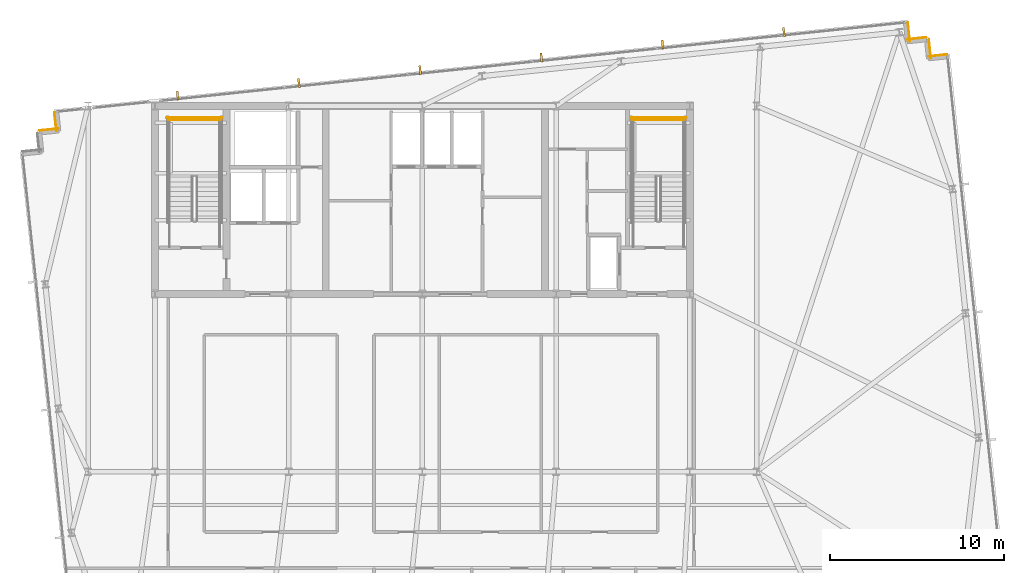
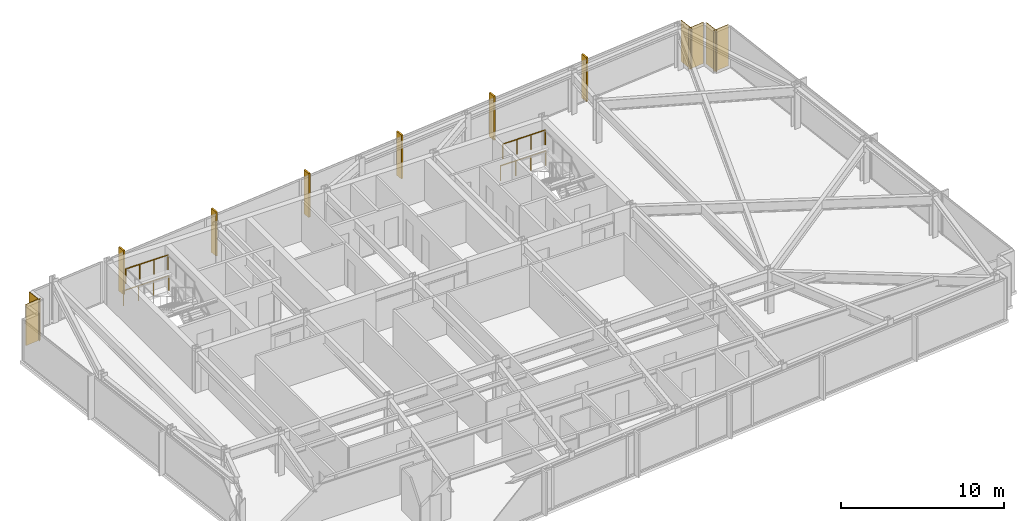
# One storey, part 32 of 32: 6 coverings, 6 shading devices, 4 railings.
"""IFC4 building model written with IfcOpenShell, lengths in metres."""

from ifc_helpers import new_model, si_unit, direction, frame, frame_2d, origin, origin_2d, place, context, subcontext, project, spatial, rectangle, circle, extrude, material, layer, layer_set, type_object, element, save


model = new_model("IFC4")

# Units and contexts
model_context = context("Model", 3, precision=1e-05, world=origin(), true_north=direction((0.0, 1.0)))
body_context = subcontext(model_context, "Body", "Model", "MODEL_VIEW")
ifc_project = project(units=[si_unit("LENGTHUNIT", "METRE"), si_unit("AREAUNIT", "SQUARE_METRE"), si_unit("VOLUMEUNIT", "CUBIC_METRE"), si_unit("PLANEANGLEUNIT", "RADIAN"), si_unit("MASSUNIT", "GRAM", prefix="KILO")], contexts=[model_context])

# Site, building, storey
site_placement = place(None, origin())
site = spatial("IfcSite", under=ifc_project, at=site_placement, CompositionType="ELEMENT")
building_placement = place(site_placement, origin())
building = spatial("IfcBuilding", under=site, at=building_placement, Name="Yelkora Congress Tower", CompositionType="ELEMENT")
storey_placement = place(building_placement, frame((0.0, 0.0, 217.699951171875)))
storey = spatial("IfcBuildingStorey", under=building, at=storey_placement, Name="L60", CompositionType="ELEMENT", Elevation=217.699951171875)

# Coverings
ifc_material_1 = material(Name="Anatolian bush-hammered limestone", Category="masonry")
ifc_layer_1 = layer(ifc_material_1, 0.0400390625)
ifc_layer_set_1 = layer_set([ifc_layer_1], Name="Anatolian bush-hammered limestone")
covering_type = type_object("IfcCoveringType", Name="COV-CLAD-SPANDREL-40", PredefinedType="CLADDING", material=ifc_layer_set_1)
for number, where, z_axis, x_axis, name in (
    (1, (16.406005859375, 44.7880859375, 0.0), (0.0, 0.0, 1.0), (0.994544300928, 0.104315068386, 0.0), "L60 Anatolian Limestone Cladding EW-L60-SR08"),
    (2, (17.379638671875, 44.75439453125, 0.0), (0.0, 0.0, 1.0), (-0.104534592565, 0.994521251134, 0.0), "L60 Anatolian Limestone Cladding EW-L60-SR09"),
    (3, (66.284912109375, 51.000732421875, 0.0), (0.0, 0.0, 1.0), (0.104534592565, -0.994521251134, 0.0), "L60 Anatolian Limestone Cladding EW-L60-SR11"),
):
    element("IfcCovering", number, at=place(storey_placement, frame(where, z_axis=z_axis, x_axis=x_axis)), inside=storey, type_object=covering_type, Name=name, PredefinedType="CLADDING", context=body_context, shape_type="SweptSolid", body=[
        extrude(rectangle(XDim=1.10009765625, YDim=0.0400390625, at=frame_2d((0.550048828125, 0.0))), origin(), (0.0, 0.0, 1.0), 3.080078125),
    ])
covering_placement = place(storey_placement, frame((66.25146484375, 50.02685546875, 0.0), z_axis=(0.0, 0.0, 1.0), x_axis=(0.994518825066, 0.104557671117, 0.0)))
element("IfcCovering", 4, at=covering_placement, inside=storey, type_object=covering_type, Name="L60 Anatolian Limestone Cladding EW-L60-SR12", PredefinedType="CLADDING", context=body_context, shape_type="SweptSolid", body=[
    extrude(rectangle(XDim=1.099853515625, YDim=0.0400390625, at=frame_2d((0.5498046875, 0.0))), origin(), (0.0, 0.0, 1.0), 3.080078125),
])
for number, where, z_axis, x_axis, name in (
    (5, (67.49365234375, 50.021728515625, 0.0), (0.0, 0.0, 1.0), (0.104534592565, -0.994521251134, 0.0), "L60 Anatolian Limestone Cladding EW-L60-SR13"),
    (6, (67.460205078125, 49.0478515625, 0.0), (0.0, 0.0, 1.0), (0.994521251134, 0.104534592565, 0.0), "L60 Anatolian Limestone Cladding EW-L60-SR14"),
):
    element("IfcCovering", number, at=place(storey_placement, frame(where, z_axis=z_axis, x_axis=x_axis)), inside=storey, type_object=covering_type, Name=name, PredefinedType="CLADDING", context=body_context, shape_type="SweptSolid", body=[
        extrude(rectangle(XDim=1.10009765625, YDim=0.0400390625, at=frame_2d((0.550048828125, 0.0))), origin(), (0.0, 0.0, 1.0), 3.080078125),
    ])

# Railings
ifc_material_2 = material(Name="Painted galvanised steel stair well guard with vertical infill", Category="steel")
ifc_layer_2 = layer(ifc_material_2, 0.06005859375)
ifc_layer_set_2 = layer_set([ifc_layer_2], Name="Painted galvanised steel stair well guard with vertical infill")
railing_type = type_object("IfcRailingType", Name="RAIL-STAIR-GUARD-1120", PredefinedType="GUARDRAIL", material=ifc_layer_set_2)
railing_1_placement = place(storey_placement, frame((26.820068359375, 45.419921875, 1.650146484375)))
element("IfcRailing", 7, at=railing_1_placement, inside=storey, type_object=railing_type, Name="ST-01 L60 Stair Well Guardrail 5", PredefinedType="GUARDRAIL", context=body_context, shape_type="SweptSolid", body=[
    extrude(circle(Radius=0.02392578125, at=origin_2d()), frame((0.0, 0.0, 1.09619140625), z_axis=(-1.0, 0.0, 0.0), x_axis=(0.0, -1.0, 0.0)), (0.0, 0.0, 1.0), 3.0),
    extrude(circle(Radius=0.02099609375, at=origin_2d()), origin(), (0.0, 0.0, 1.0), 1.072021484375),
    extrude(circle(Radius=0.02099609375, at=origin_2d()), frame((-1.0, 0.0, 0.0)), (0.0, 0.0, 1.0), 1.072021484375),
    extrude(circle(Radius=0.02099609375, at=origin_2d()), frame((-2.0, 0.0, 0.0)), (0.0, 0.0, 1.0), 1.072021484375),
    extrude(circle(Radius=0.02099609375, at=origin_2d()), frame((-3.0, 0.0, 0.0)), (0.0, 0.0, 1.0), 1.072021484375),
])
railing_2_placement = place(storey_placement, frame((26.919921875, 45.52001953125, 0.0)))
element("IfcRailing", 8, at=railing_2_placement, inside=storey, type_object=railing_type, Name="ST-01 L60 Stair Well Guardrail 12", PredefinedType="GUARDRAIL", context=body_context, shape_type="SweptSolid", body=[
    extrude(circle(Radius=0.02392578125, at=origin_2d()), frame((0.0, 0.0, 1.09619140625), z_axis=(-1.0, 0.0, 0.0), x_axis=(0.0, -1.0, 0.0)), (0.0, 0.0, 1.0), 3.199951171875),
    extrude(circle(Radius=0.02099609375, at=origin_2d()), origin(), (0.0, 0.0, 1.0), 1.072021484375),
    extrude(circle(Radius=0.02099609375, at=origin_2d()), frame((-1.066650390625, 0.0, 0.0)), (0.0, 0.0, 1.0), 1.072021484375),
    extrude(circle(Radius=0.02099609375, at=origin_2d()), frame((-2.13330078125, 0.0, 0.0)), (0.0, 0.0, 1.0), 1.072021484375),
    extrude(circle(Radius=0.02099609375, at=origin_2d()), frame((-3.199951171875, 0.0, 0.0)), (0.0, 0.0, 1.0), 1.072021484375),
])
railing_3_placement = place(storey_placement, frame((53.4599609375, 45.419921875, 1.650146484375)))
element("IfcRailing", 9, at=railing_3_placement, inside=storey, type_object=railing_type, Name="ST-02 L60 Stair Well Guardrail 5", PredefinedType="GUARDRAIL", context=body_context, shape_type="SweptSolid", body=[
    extrude(circle(Radius=0.02392578125, at=origin_2d()), frame((0.0, 0.0, 1.09619140625), z_axis=(-1.0, 0.0, 0.0), x_axis=(0.0, -1.0, 0.0)), (0.0, 0.0, 1.0), 3.0),
    extrude(circle(Radius=0.02099609375, at=origin_2d()), origin(), (0.0, 0.0, 1.0), 1.072021484375),
    extrude(circle(Radius=0.02099609375, at=origin_2d()), frame((-1.0, 0.0, 0.0)), (0.0, 0.0, 1.0), 1.072021484375),
    extrude(circle(Radius=0.02099609375, at=origin_2d()), frame((-2.0, 0.0, 0.0)), (0.0, 0.0, 1.0), 1.072021484375),
    extrude(circle(Radius=0.02099609375, at=origin_2d()), frame((-3.0, 0.0, 0.0)), (0.0, 0.0, 1.0), 1.072021484375),
])
railing_4_placement = place(storey_placement, frame((53.56005859375, 45.52001953125, 0.0)))
element("IfcRailing", 10, at=railing_4_placement, inside=storey, type_object=railing_type, Name="ST-02 L60 Stair Well Guardrail 12", PredefinedType="GUARDRAIL", context=body_context, shape_type="SweptSolid", body=[
    extrude(circle(Radius=0.02392578125, at=origin_2d()), frame((0.0, 0.0, 1.09619140625), z_axis=(-1.0, 0.0, 0.0), x_axis=(0.0, -1.0, 0.0)), (0.0, 0.0, 1.0), 3.199951171875),
    extrude(circle(Radius=0.02099609375, at=origin_2d()), origin(), (0.0, 0.0, 1.0), 1.072021484375),
    extrude(circle(Radius=0.02099609375, at=origin_2d()), frame((-1.066650390625, 0.0, 0.0)), (0.0, 0.0, 1.0), 1.072021484375),
    extrude(circle(Radius=0.02099609375, at=origin_2d()), frame((-2.13330078125, 0.0, 0.0)), (0.0, 0.0, 1.0), 1.072021484375),
    extrude(circle(Radius=0.02099609375, at=origin_2d()), frame((-3.199951171875, 0.0, 0.0)), (0.0, 0.0, 1.0), 1.072021484375),
])

# Shading devices
ifc_material_3 = material(Name="Champagne anodised aluminium", Category="aluminium")
ifc_layer_3 = layer(ifc_material_3, 3.300048828125)
ifc_layer_set_3 = layer_set([ifc_layer_3], Name="Champagne anodised aluminium")
shading_device_type = type_object("IfcShadingDeviceType", Name="SHD-FIN-ALU-520", PredefinedType="USERDEFINED", material=ifc_layer_set_3)
for number, where, z_axis, x_axis, name in (
    (11, (24.342529296875, 46.79345703125, -0.02978515625), (0.0, 0.0, 1.0), (0.994521895368, 0.104528463268, 0.0), "L60 Vertical Anodised Solar Fin 10-1"),
    (12, (31.30712890625, 47.525390625, -0.02978515625), (0.0, 0.0, 1.0), (0.994521895368, 0.104528463268, 0.0), "L60 Vertical Anodised Solar Fin 10-2"),
    (13, (38.271484375, 48.257568359375, -0.02978515625), (0.0, 0.0, 1.0), (0.994521895368, 0.104528463268, 0.0), "L60 Vertical Anodised Solar Fin 10-3"),
    (14, (45.236083984375, 48.989501953125, -0.02978515625), (0.0, 0.0, 1.0), (0.994521895368, 0.104528463268, 0.0), "L60 Vertical Anodised Solar Fin 10-4"),
    (15, (52.20068359375, 49.721435546875, -0.02978515625), (0.0, 0.0, 1.0), (0.994521895368, 0.104528463268, 0.0), "L60 Vertical Anodised Solar Fin 10-5"),
    (16, (59.1650390625, 50.45361328125, -0.02978515625), (0.0, 0.0, 1.0), (0.994521895368, 0.104528463268, 0.0), "L60 Vertical Anodised Solar Fin 10-6"),
):
    element("IfcShadingDevice", number, at=place(storey_placement, frame(where, z_axis=z_axis, x_axis=x_axis)), inside=storey, type_object=shading_device_type, Name=name, ObjectType="FIN", PredefinedType="USERDEFINED", context=body_context, shape_type="SweptSolid", body=[
        extrude(rectangle(XDim=0.1201171875, YDim=0.52001953125, at=origin_2d()), origin(), (0.0, 0.0, 1.0), 3.280029296875),
    ])

save(model, "model.ifc")
